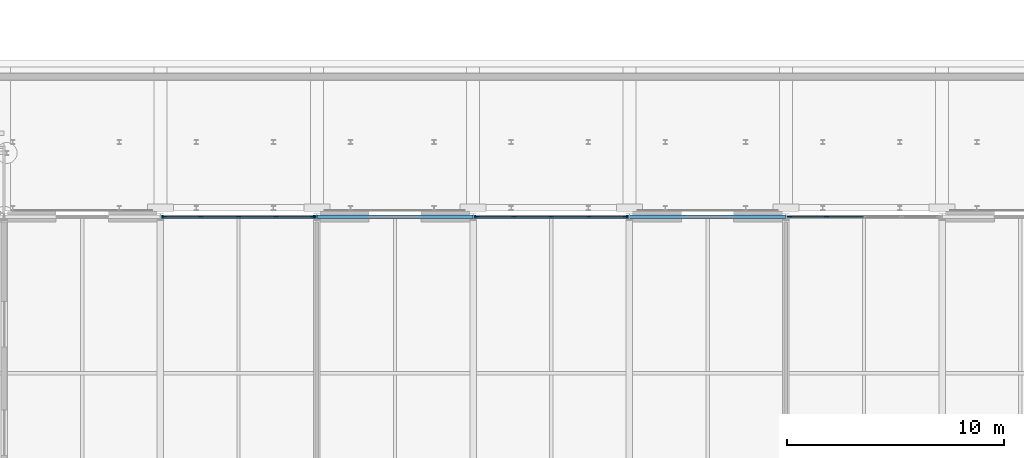
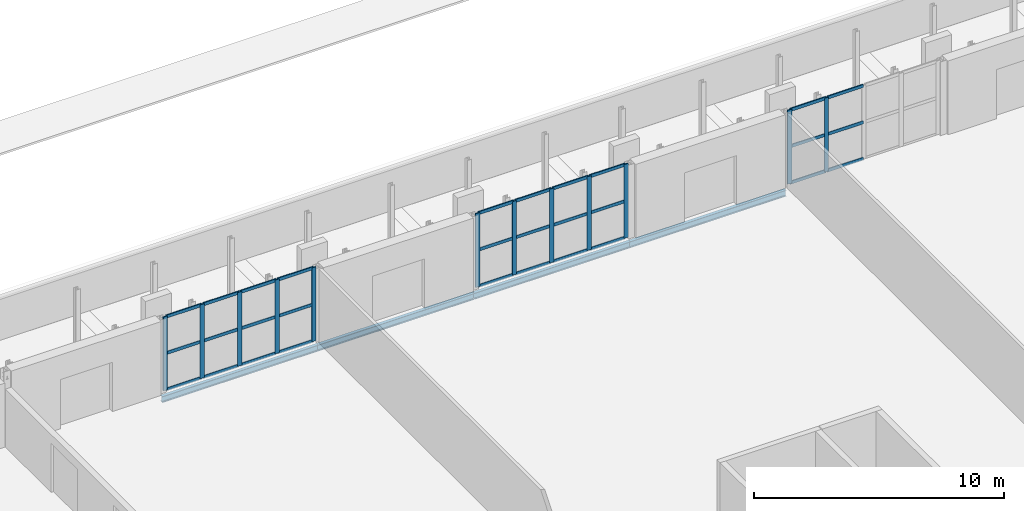
# One storey, part 58 of 143: 42 members, 4 beams, 3 elements without a shape of their own.
"""IFC4 building model written with IfcOpenShell, lengths in metres."""

from ifc_helpers import new_model, si_unit, direction, frame, origin, origin_2d, place, context, subcontext, project, spatial, rectangle, i_section, extrude, material, material_profile, profile_set, type_object, element, aggregate, save


model = new_model("IFC4")

# Units and contexts
model_context = context("Model", 3, precision=1e-05, world=origin(), true_north=direction((0.0, 1.0)))
body_context = subcontext(model_context, "Body", "Model", "MODEL_VIEW")
ifc_project = project(units=[si_unit("LENGTHUNIT", "METRE"), si_unit("AREAUNIT", "SQUARE_METRE"), si_unit("VOLUMEUNIT", "CUBIC_METRE"), si_unit("PLANEANGLEUNIT", "RADIAN"), si_unit("MASSUNIT", "GRAM", prefix="KILO")], contexts=[model_context])

# Site, building, storey
site_placement = place(None, origin())
site = spatial("IfcSite", under=ifc_project, at=site_placement, CompositionType="ELEMENT")
building_placement = place(site_placement, origin())
building = spatial("IfcBuilding", under=site, at=building_placement, Name="Kupolbacken Congress Centre", CompositionType="ELEMENT")
storey_placement = place(building_placement, frame((0.0, 0.0, 7.199951171875)))
storey = spatial("IfcBuildingStorey", under=building, at=storey_placement, Name="L02", CompositionType="ELEMENT", Elevation=7.199951171875)

# Beams
ifc_material_1 = material(Name="Steel S355", Category="steel")
ifc_material_profile_1 = material_profile(ifc_material_1, i_section(OverallWidth=0.14990234375, OverallDepth=0.300048828125, WebThickness=0.007080078125, FlangeThickness=0.0107421875, FilletRadius=0.014892578125, at=origin_2d()), Name="IPE 300")
ifc_profile_set_1 = profile_set([ifc_material_profile_1], Name="Steel S355")
beam_type = type_object("IfcBeamType", Name="B04 beam IPE 300", PredefinedType="BEAM", material=ifc_profile_set_1)
for number, where, z_axis, x_axis, name in (
    (1, (158.405517578125, 151.199951171875, -0.369873046875), (1.0, 0.0, 0.0), (0.0, 1.0, 0.0), "S/floor/B/L02/R039"),
    (2, (165.60546875, 151.199951171875, -0.369873046875), (1.0, 0.0, 0.0), (0.0, 1.0, 0.0), "S/floor/B/L02/R040"),
    (3, (172.805419921875, 151.199951171875, -0.369873046875), (1.0, 0.0, 0.0), (0.0, 1.0, 0.0), "S/floor/B/L02/R041"),
    (4, (180.005615234375, 151.199951171875, -0.369873046875), (1.0, 0.0, 0.0), (0.0, 1.0, 0.0), "S/floor/B/L02/R042"),
):
    element("IfcBeam", number, at=place(storey_placement, frame(where, z_axis=z_axis, x_axis=x_axis)), inside=storey, type_object=beam_type, Name=name, PredefinedType="BEAM", context=body_context, shape_type="SweptSolid", body=[
        extrude(i_section(OverallWidth=0.14990234375, OverallDepth=0.300048828125, WebThickness=0.007080078125, FlangeThickness=0.0107421875, FilletRadius=0.014892578125, at=origin_2d()), origin(), (0.0, 0.0, 1.0), 7.18896484375),
    ])

# Curtain wall, members
ifc_material_2 = material(Name="Aluminium mullion-transom frame with glass", Category="aluminium")
curtain_wall_type = type_object("IfcCurtainWallType", Name="CW1 curtain wall 7200x3600", PredefinedType="NOTDEFINED", material=ifc_material_2)
curtain_wall_1_placement = place(storey_placement, origin())
curtain_wall_1 = element("IfcCurtainWall", 5, at=curtain_wall_1_placement, inside=storey, type_object=curtain_wall_type, Name="E/B/N/L02/206", PredefinedType="NOTDEFINED")
ifc_material_3 = material(Name="Aluminium alloy", Category="aluminium")
ifc_material_profile_2 = material_profile(ifc_material_3, rectangle(XDim=0.050048828125, YDim=0.199951171875, at=origin_2d()), Name="50 x 200")
ifc_profile_set_2 = profile_set([ifc_material_profile_2], Name="Aluminium alloy")
member_type_1 = type_object("IfcMemberType", Name="MU2 mullion 50x200", PredefinedType="MULLION", material=ifc_profile_set_2)
member_1_placement = place(storey_placement, frame((189.074951171875, 151.199951171875, 0.0), z_axis=(0.0, 0.0, 1.0), x_axis=(0.0, -1.0, 0.0)))
member_1 = element("IfcMember", 6, at=member_1_placement, type_object=member_type_1, Name="CW1 mullion 4", PredefinedType="MULLION", context=body_context, shape_type="SweptSolid", body=[
    extrude(rectangle(XDim=0.050048828125, YDim=0.199951171875, at=origin_2d()), origin(), (0.0, 0.0, 1.0), 3.60009765625),
])
member_2_placement = place(storey_placement, frame((187.375, 151.199951171875, 0.0), z_axis=(0.0, 0.0, 1.0), x_axis=(0.0, -1.0, 0.0)))
member_2 = element("IfcMember", 7, at=member_2_placement, type_object=member_type_1, Name="CW1 mullion 5", PredefinedType="MULLION", context=body_context, shape_type="SweptSolid", body=[
    extrude(rectangle(XDim=0.050048828125, YDim=0.199951171875, at=origin_2d()), origin(), (0.0, 0.0, 1.0), 3.60009765625),
])

curtain_wall_2_placement = place(storey_placement, origin())
curtain_wall_2 = element("IfcCurtainWall", 8, at=curtain_wall_2_placement, inside=storey, type_object=curtain_wall_type, Name="E/B/N/L02/208", PredefinedType="NOTDEFINED")
member_3_placement = place(storey_placement, frame((179.824951171875, 151.199951171875, 0.0), z_axis=(0.0, 0.0, 1.0), x_axis=(0.0, -1.0, 0.0)))
member_3 = element("IfcMember", 9, at=member_3_placement, type_object=member_type_1, Name="CW1 mullion 1", PredefinedType="MULLION", context=body_context, shape_type="SweptSolid", body=[
    extrude(rectangle(XDim=0.050048828125, YDim=0.199951171875, at=origin_2d()), origin(), (0.0, 0.0, 1.0), 3.60009765625),
])
member_4_placement = place(storey_placement, frame((178.125, 151.199951171875, 0.0), z_axis=(0.0, 0.0, 1.0), x_axis=(0.0, -1.0, 0.0)))
member_4 = element("IfcMember", 10, at=member_4_placement, type_object=member_type_1, Name="CW1 mullion 2", PredefinedType="MULLION", context=body_context, shape_type="SweptSolid", body=[
    extrude(rectangle(XDim=0.050048828125, YDim=0.199951171875, at=origin_2d()), origin(), (0.0, 0.0, 1.0), 3.60009765625),
])
member_5_placement = place(storey_placement, frame((176.39990234375, 151.199951171875, 0.0), z_axis=(0.0, 0.0, 1.0), x_axis=(0.0, -1.0, 0.0)))
member_5 = element("IfcMember", 11, at=member_5_placement, type_object=member_type_1, Name="CW1 mullion 3", PredefinedType="MULLION", context=body_context, shape_type="SweptSolid", body=[
    extrude(rectangle(XDim=0.050048828125, YDim=0.199951171875, at=origin_2d()), origin(), (0.0, 0.0, 1.0), 3.60009765625),
])
member_6_placement = place(storey_placement, frame((174.675048828125, 151.199951171875, 0.0), z_axis=(0.0, 0.0, 1.0), x_axis=(0.0, -1.0, 0.0)))
member_6 = element("IfcMember", 12, at=member_6_placement, type_object=member_type_1, Name="CW1 mullion 4", PredefinedType="MULLION", context=body_context, shape_type="SweptSolid", body=[
    extrude(rectangle(XDim=0.050048828125, YDim=0.199951171875, at=origin_2d()), origin(), (0.0, 0.0, 1.0), 3.60009765625),
])
member_7_placement = place(storey_placement, frame((172.97509765625, 151.199951171875, 0.0), z_axis=(0.0, 0.0, 1.0), x_axis=(0.0, -1.0, 0.0)))
member_7 = element("IfcMember", 13, at=member_7_placement, type_object=member_type_1, Name="CW1 mullion 5", PredefinedType="MULLION", context=body_context, shape_type="SweptSolid", body=[
    extrude(rectangle(XDim=0.050048828125, YDim=0.199951171875, at=origin_2d()), origin(), (0.0, 0.0, 1.0), 3.60009765625),
])

curtain_wall_3_placement = place(storey_placement, origin())
curtain_wall_3 = element("IfcCurtainWall", 14, at=curtain_wall_3_placement, inside=storey, type_object=curtain_wall_type, Name="E/B/N/L02/210", PredefinedType="NOTDEFINED")
member_8_placement = place(storey_placement, frame((165.425048828125, 151.199951171875, 0.0), z_axis=(0.0, 0.0, 1.0), x_axis=(0.0, -1.0, 0.0)))
member_8 = element("IfcMember", 15, at=member_8_placement, type_object=member_type_1, Name="CW1 mullion 1", PredefinedType="MULLION", context=body_context, shape_type="SweptSolid", body=[
    extrude(rectangle(XDim=0.050048828125, YDim=0.199951171875, at=origin_2d()), origin(), (0.0, 0.0, 1.0), 3.60009765625),
])
member_9_placement = place(storey_placement, frame((163.72509765625, 151.199951171875, 0.0), z_axis=(0.0, 0.0, 1.0), x_axis=(0.0, -1.0, 0.0)))
member_9 = element("IfcMember", 16, at=member_9_placement, type_object=member_type_1, Name="CW1 mullion 2", PredefinedType="MULLION", context=body_context, shape_type="SweptSolid", body=[
    extrude(rectangle(XDim=0.050048828125, YDim=0.199951171875, at=origin_2d()), origin(), (0.0, 0.0, 1.0), 3.60009765625),
])
member_10_placement = place(storey_placement, frame((162.0, 151.199951171875, 0.0), z_axis=(0.0, 0.0, 1.0), x_axis=(0.0, -1.0, 0.0)))
member_10 = element("IfcMember", 17, at=member_10_placement, type_object=member_type_1, Name="CW1 mullion 3", PredefinedType="MULLION", context=body_context, shape_type="SweptSolid", body=[
    extrude(rectangle(XDim=0.050048828125, YDim=0.199951171875, at=origin_2d()), origin(), (0.0, 0.0, 1.0), 3.60009765625),
])
member_11_placement = place(storey_placement, frame((160.27490234375, 151.199951171875, 0.0), z_axis=(0.0, 0.0, 1.0), x_axis=(0.0, -1.0, 0.0)))
member_11 = element("IfcMember", 18, at=member_11_placement, type_object=member_type_1, Name="CW1 mullion 4", PredefinedType="MULLION", context=body_context, shape_type="SweptSolid", body=[
    extrude(rectangle(XDim=0.050048828125, YDim=0.199951171875, at=origin_2d()), origin(), (0.0, 0.0, 1.0), 3.60009765625),
])
member_12_placement = place(storey_placement, frame((158.574951171875, 151.199951171875, 0.0), z_axis=(0.0, 0.0, 1.0), x_axis=(0.0, -1.0, 0.0)))
member_12 = element("IfcMember", 19, at=member_12_placement, type_object=member_type_1, Name="CW1 mullion 5", PredefinedType="MULLION", context=body_context, shape_type="SweptSolid", body=[
    extrude(rectangle(XDim=0.050048828125, YDim=0.199951171875, at=origin_2d()), origin(), (0.0, 0.0, 1.0), 3.60009765625),
])

# Member
ifc_material_4 = material(Name="Aluminium alloy", Category="aluminium")
ifc_material_profile_3 = material_profile(ifc_material_4, rectangle(XDim=0.050048828125, YDim=0.14990234375, at=origin_2d()), Name="50 x 150")
ifc_profile_set_3 = profile_set([ifc_material_profile_3], Name="Aluminium alloy")
member_type_2 = type_object("IfcMemberType", Name="TR2 transom 50x150", PredefinedType="MULLION", material=ifc_profile_set_3)
member_13_placement = place(storey_placement, frame((190.77490234375, 151.199951171875, 0.025146484375), z_axis=(-1.0, 0.0, 0.0), x_axis=(0.0, -1.0, 0.0)))
member_13 = element("IfcMember", 20, at=member_13_placement, type_object=member_type_2, Name="CW1 transom 3.1", PredefinedType="MULLION", context=body_context, shape_type="SweptSolid", body=[
    extrude(rectangle(XDim=0.050048828125, YDim=0.14990234375, at=origin_2d()), origin(), (0.0, 0.0, 1.0), 1.6748046875),
])

member_14_placement = place(storey_placement, frame((190.77490234375, 151.199951171875, 1.800048828125), z_axis=(-1.0, 0.0, 0.0), x_axis=(0.0, -1.0, 0.0)))
member_14 = element("IfcMember", 21, at=member_14_placement, type_object=member_type_2, Name="CW1 transom 3.2", PredefinedType="MULLION", context=body_context, shape_type="SweptSolid", body=[
    extrude(rectangle(XDim=0.050048828125, YDim=0.14990234375, at=origin_2d()), origin(), (0.0, 0.0, 1.0), 1.6748046875),
])

member_15_placement = place(storey_placement, frame((190.77490234375, 151.199951171875, 3.574951171875), z_axis=(-1.0, 0.0, 0.0), x_axis=(0.0, -1.0, 0.0)))
member_15 = element("IfcMember", 22, at=member_15_placement, type_object=member_type_2, Name="CW1 transom 3.3", PredefinedType="MULLION", context=body_context, shape_type="SweptSolid", body=[
    extrude(rectangle(XDim=0.050048828125, YDim=0.14990234375, at=origin_2d()), origin(), (0.0, 0.0, 1.0), 1.6748046875),
])

member_16_placement = place(storey_placement, frame((189.050048828125, 151.199951171875, 0.025146484375), z_axis=(-1.0, 0.0, 0.0), x_axis=(0.0, -1.0, 0.0)))
member_16 = element("IfcMember", 23, at=member_16_placement, type_object=member_type_2, Name="CW1 transom 4.1", PredefinedType="MULLION", context=body_context, shape_type="SweptSolid", body=[
    extrude(rectangle(XDim=0.050048828125, YDim=0.14990234375, at=origin_2d()), origin(), (0.0, 0.0, 1.0), 1.650146484375),
])

member_17_placement = place(storey_placement, frame((189.050048828125, 151.199951171875, 1.800048828125), z_axis=(-1.0, 0.0, 0.0), x_axis=(0.0, -1.0, 0.0)))
member_17 = element("IfcMember", 24, at=member_17_placement, type_object=member_type_2, Name="CW1 transom 4.2", PredefinedType="MULLION", context=body_context, shape_type="SweptSolid", body=[
    extrude(rectangle(XDim=0.050048828125, YDim=0.14990234375, at=origin_2d()), origin(), (0.0, 0.0, 1.0), 1.650146484375),
])

member_18_placement = place(storey_placement, frame((189.050048828125, 151.199951171875, 3.574951171875), z_axis=(-1.0, 0.0, 0.0), x_axis=(0.0, -1.0, 0.0)))
member_18 = element("IfcMember", 25, at=member_18_placement, type_object=member_type_2, Name="CW1 transom 4.3", PredefinedType="MULLION", context=body_context, shape_type="SweptSolid", body=[
    extrude(rectangle(XDim=0.050048828125, YDim=0.14990234375, at=origin_2d()), origin(), (0.0, 0.0, 1.0), 1.650146484375),
])

aggregate(curtain_wall_1, [member_1, member_2, member_13, member_14, member_15, member_16, member_17, member_18])

member_19_placement = place(storey_placement, frame((179.800048828125, 151.199951171875, 0.025146484375), z_axis=(-1.0, 0.0, 0.0), x_axis=(0.0, -1.0, 0.0)))
member_19 = element("IfcMember", 26, at=member_19_placement, type_object=member_type_2, Name="CW1 transom 1.1", PredefinedType="MULLION", context=body_context, shape_type="SweptSolid", body=[
    extrude(rectangle(XDim=0.050048828125, YDim=0.14990234375, at=origin_2d()), origin(), (0.0, 0.0, 1.0), 1.650146484375),
])

member_20_placement = place(storey_placement, frame((179.800048828125, 151.199951171875, 1.800048828125), z_axis=(-1.0, 0.0, 0.0), x_axis=(0.0, -1.0, 0.0)))
member_20 = element("IfcMember", 27, at=member_20_placement, type_object=member_type_2, Name="CW1 transom 1.2", PredefinedType="MULLION", context=body_context, shape_type="SweptSolid", body=[
    extrude(rectangle(XDim=0.050048828125, YDim=0.14990234375, at=origin_2d()), origin(), (0.0, 0.0, 1.0), 1.650146484375),
])

member_21_placement = place(storey_placement, frame((179.800048828125, 151.199951171875, 3.574951171875), z_axis=(-1.0, 0.0, 0.0), x_axis=(0.0, -1.0, 0.0)))
member_21 = element("IfcMember", 28, at=member_21_placement, type_object=member_type_2, Name="CW1 transom 1.3", PredefinedType="MULLION", context=body_context, shape_type="SweptSolid", body=[
    extrude(rectangle(XDim=0.050048828125, YDim=0.14990234375, at=origin_2d()), origin(), (0.0, 0.0, 1.0), 1.650146484375),
])

member_22_placement = place(storey_placement, frame((178.10009765625, 151.199951171875, 0.025146484375), z_axis=(-1.0, 0.0, 0.0), x_axis=(0.0, -1.0, 0.0)))
member_22 = element("IfcMember", 29, at=member_22_placement, type_object=member_type_2, Name="CW1 transom 2.1", PredefinedType="MULLION", context=body_context, shape_type="SweptSolid", body=[
    extrude(rectangle(XDim=0.050048828125, YDim=0.14990234375, at=origin_2d()), origin(), (0.0, 0.0, 1.0), 1.675048828125),
])

member_23_placement = place(storey_placement, frame((178.10009765625, 151.199951171875, 1.800048828125), z_axis=(-1.0, 0.0, 0.0), x_axis=(0.0, -1.0, 0.0)))
member_23 = element("IfcMember", 30, at=member_23_placement, type_object=member_type_2, Name="CW1 transom 2.2", PredefinedType="MULLION", context=body_context, shape_type="SweptSolid", body=[
    extrude(rectangle(XDim=0.050048828125, YDim=0.14990234375, at=origin_2d()), origin(), (0.0, 0.0, 1.0), 1.675048828125),
])

member_24_placement = place(storey_placement, frame((178.10009765625, 151.199951171875, 3.574951171875), z_axis=(-1.0, 0.0, 0.0), x_axis=(0.0, -1.0, 0.0)))
member_24 = element("IfcMember", 31, at=member_24_placement, type_object=member_type_2, Name="CW1 transom 2.3", PredefinedType="MULLION", context=body_context, shape_type="SweptSolid", body=[
    extrude(rectangle(XDim=0.050048828125, YDim=0.14990234375, at=origin_2d()), origin(), (0.0, 0.0, 1.0), 1.675048828125),
])

member_25_placement = place(storey_placement, frame((176.375, 151.199951171875, 0.025146484375), z_axis=(-1.0, 0.0, 0.0), x_axis=(0.0, -1.0, 0.0)))
member_25 = element("IfcMember", 32, at=member_25_placement, type_object=member_type_2, Name="CW1 transom 3.1", PredefinedType="MULLION", context=body_context, shape_type="SweptSolid", body=[
    extrude(rectangle(XDim=0.050048828125, YDim=0.14990234375, at=origin_2d()), origin(), (0.0, 0.0, 1.0), 1.675048828125),
])

member_26_placement = place(storey_placement, frame((176.375, 151.199951171875, 1.800048828125), z_axis=(-1.0, 0.0, 0.0), x_axis=(0.0, -1.0, 0.0)))
member_26 = element("IfcMember", 33, at=member_26_placement, type_object=member_type_2, Name="CW1 transom 3.2", PredefinedType="MULLION", context=body_context, shape_type="SweptSolid", body=[
    extrude(rectangle(XDim=0.050048828125, YDim=0.14990234375, at=origin_2d()), origin(), (0.0, 0.0, 1.0), 1.675048828125),
])

member_27_placement = place(storey_placement, frame((176.375, 151.199951171875, 3.574951171875), z_axis=(-1.0, 0.0, 0.0), x_axis=(0.0, -1.0, 0.0)))
member_27 = element("IfcMember", 34, at=member_27_placement, type_object=member_type_2, Name="CW1 transom 3.3", PredefinedType="MULLION", context=body_context, shape_type="SweptSolid", body=[
    extrude(rectangle(XDim=0.050048828125, YDim=0.14990234375, at=origin_2d()), origin(), (0.0, 0.0, 1.0), 1.675048828125),
])

member_28_placement = place(storey_placement, frame((174.64990234375, 151.199951171875, 0.025146484375), z_axis=(-1.0, 0.0, 0.0), x_axis=(0.0, -1.0, 0.0)))
member_28 = element("IfcMember", 35, at=member_28_placement, type_object=member_type_2, Name="CW1 transom 4.1", PredefinedType="MULLION", context=body_context, shape_type="SweptSolid", body=[
    extrude(rectangle(XDim=0.050048828125, YDim=0.14990234375, at=origin_2d()), origin(), (0.0, 0.0, 1.0), 1.64990234375),
])

member_29_placement = place(storey_placement, frame((174.64990234375, 151.199951171875, 1.800048828125), z_axis=(-1.0, 0.0, 0.0), x_axis=(0.0, -1.0, 0.0)))
member_29 = element("IfcMember", 36, at=member_29_placement, type_object=member_type_2, Name="CW1 transom 4.2", PredefinedType="MULLION", context=body_context, shape_type="SweptSolid", body=[
    extrude(rectangle(XDim=0.050048828125, YDim=0.14990234375, at=origin_2d()), origin(), (0.0, 0.0, 1.0), 1.64990234375),
])

member_30_placement = place(storey_placement, frame((174.64990234375, 151.199951171875, 3.574951171875), z_axis=(-1.0, 0.0, 0.0), x_axis=(0.0, -1.0, 0.0)))
member_30 = element("IfcMember", 37, at=member_30_placement, type_object=member_type_2, Name="CW1 transom 4.3", PredefinedType="MULLION", context=body_context, shape_type="SweptSolid", body=[
    extrude(rectangle(XDim=0.050048828125, YDim=0.14990234375, at=origin_2d()), origin(), (0.0, 0.0, 1.0), 1.64990234375),
])

aggregate(curtain_wall_2, [member_3, member_4, member_5, member_6, member_7, member_19, member_20, member_21, member_22, member_23, member_24, member_25, member_26, member_27, member_28, member_29, member_30])

member_31_placement = place(storey_placement, frame((165.39990234375, 151.199951171875, 0.025146484375), z_axis=(-1.0, 0.0, 0.0), x_axis=(0.0, -1.0, 0.0)))
member_31 = element("IfcMember", 38, at=member_31_placement, type_object=member_type_2, Name="CW1 transom 1.1", PredefinedType="MULLION", context=body_context, shape_type="SweptSolid", body=[
    extrude(rectangle(XDim=0.050048828125, YDim=0.14990234375, at=origin_2d()), origin(), (0.0, 0.0, 1.0), 1.64990234375),
])

member_32_placement = place(storey_placement, frame((165.39990234375, 151.199951171875, 1.800048828125), z_axis=(-1.0, 0.0, 0.0), x_axis=(0.0, -1.0, 0.0)))
member_32 = element("IfcMember", 39, at=member_32_placement, type_object=member_type_2, Name="CW1 transom 1.2", PredefinedType="MULLION", context=body_context, shape_type="SweptSolid", body=[
    extrude(rectangle(XDim=0.050048828125, YDim=0.14990234375, at=origin_2d()), origin(), (0.0, 0.0, 1.0), 1.64990234375),
])

member_33_placement = place(storey_placement, frame((165.39990234375, 151.199951171875, 3.574951171875), z_axis=(-1.0, 0.0, 0.0), x_axis=(0.0, -1.0, 0.0)))
member_33 = element("IfcMember", 40, at=member_33_placement, type_object=member_type_2, Name="CW1 transom 1.3", PredefinedType="MULLION", context=body_context, shape_type="SweptSolid", body=[
    extrude(rectangle(XDim=0.050048828125, YDim=0.14990234375, at=origin_2d()), origin(), (0.0, 0.0, 1.0), 1.64990234375),
])

member_34_placement = place(storey_placement, frame((163.699951171875, 151.199951171875, 0.025146484375), z_axis=(-1.0, 0.0, 0.0), x_axis=(0.0, -1.0, 0.0)))
member_34 = element("IfcMember", 41, at=member_34_placement, type_object=member_type_2, Name="CW1 transom 2.1", PredefinedType="MULLION", context=body_context, shape_type="SweptSolid", body=[
    extrude(rectangle(XDim=0.050048828125, YDim=0.14990234375, at=origin_2d()), origin(), (0.0, 0.0, 1.0), 1.675048828125),
])

member_35_placement = place(storey_placement, frame((163.699951171875, 151.199951171875, 1.800048828125), z_axis=(-1.0, 0.0, 0.0), x_axis=(0.0, -1.0, 0.0)))
member_35 = element("IfcMember", 42, at=member_35_placement, type_object=member_type_2, Name="CW1 transom 2.2", PredefinedType="MULLION", context=body_context, shape_type="SweptSolid", body=[
    extrude(rectangle(XDim=0.050048828125, YDim=0.14990234375, at=origin_2d()), origin(), (0.0, 0.0, 1.0), 1.675048828125),
])

member_36_placement = place(storey_placement, frame((163.699951171875, 151.199951171875, 3.574951171875), z_axis=(-1.0, 0.0, 0.0), x_axis=(0.0, -1.0, 0.0)))
member_36 = element("IfcMember", 43, at=member_36_placement, type_object=member_type_2, Name="CW1 transom 2.3", PredefinedType="MULLION", context=body_context, shape_type="SweptSolid", body=[
    extrude(rectangle(XDim=0.050048828125, YDim=0.14990234375, at=origin_2d()), origin(), (0.0, 0.0, 1.0), 1.675048828125),
])

member_37_placement = place(storey_placement, frame((161.97509765625, 151.199951171875, 0.025146484375), z_axis=(-1.0, 0.0, 0.0), x_axis=(0.0, -1.0, 0.0)))
member_37 = element("IfcMember", 44, at=member_37_placement, type_object=member_type_2, Name="CW1 transom 3.1", PredefinedType="MULLION", context=body_context, shape_type="SweptSolid", body=[
    extrude(rectangle(XDim=0.050048828125, YDim=0.14990234375, at=origin_2d()), origin(), (0.0, 0.0, 1.0), 1.675048828125),
])

member_38_placement = place(storey_placement, frame((161.97509765625, 151.199951171875, 1.800048828125), z_axis=(-1.0, 0.0, 0.0), x_axis=(0.0, -1.0, 0.0)))
member_38 = element("IfcMember", 45, at=member_38_placement, type_object=member_type_2, Name="CW1 transom 3.2", PredefinedType="MULLION", context=body_context, shape_type="SweptSolid", body=[
    extrude(rectangle(XDim=0.050048828125, YDim=0.14990234375, at=origin_2d()), origin(), (0.0, 0.0, 1.0), 1.675048828125),
])

member_39_placement = place(storey_placement, frame((161.97509765625, 151.199951171875, 3.574951171875), z_axis=(-1.0, 0.0, 0.0), x_axis=(0.0, -1.0, 0.0)))
member_39 = element("IfcMember", 46, at=member_39_placement, type_object=member_type_2, Name="CW1 transom 3.3", PredefinedType="MULLION", context=body_context, shape_type="SweptSolid", body=[
    extrude(rectangle(XDim=0.050048828125, YDim=0.14990234375, at=origin_2d()), origin(), (0.0, 0.0, 1.0), 1.675048828125),
])

member_40_placement = place(storey_placement, frame((160.25, 151.199951171875, 0.025146484375), z_axis=(-1.0, 0.0, 0.0), x_axis=(0.0, -1.0, 0.0)))
member_40 = element("IfcMember", 47, at=member_40_placement, type_object=member_type_2, Name="CW1 transom 4.1", PredefinedType="MULLION", context=body_context, shape_type="SweptSolid", body=[
    extrude(rectangle(XDim=0.050048828125, YDim=0.14990234375, at=origin_2d()), origin(), (0.0, 0.0, 1.0), 1.64990234375),
])

member_41_placement = place(storey_placement, frame((160.25, 151.199951171875, 1.800048828125), z_axis=(-1.0, 0.0, 0.0), x_axis=(0.0, -1.0, 0.0)))
member_41 = element("IfcMember", 48, at=member_41_placement, type_object=member_type_2, Name="CW1 transom 4.2", PredefinedType="MULLION", context=body_context, shape_type="SweptSolid", body=[
    extrude(rectangle(XDim=0.050048828125, YDim=0.14990234375, at=origin_2d()), origin(), (0.0, 0.0, 1.0), 1.64990234375),
])

member_42_placement = place(storey_placement, frame((160.25, 151.199951171875, 3.574951171875), z_axis=(-1.0, 0.0, 0.0), x_axis=(0.0, -1.0, 0.0)))
member_42 = element("IfcMember", 49, at=member_42_placement, type_object=member_type_2, Name="CW1 transom 4.3", PredefinedType="MULLION", context=body_context, shape_type="SweptSolid", body=[
    extrude(rectangle(XDim=0.050048828125, YDim=0.14990234375, at=origin_2d()), origin(), (0.0, 0.0, 1.0), 1.64990234375),
])

aggregate(curtain_wall_3, [member_8, member_9, member_10, member_11, member_12, member_31, member_32, member_33, member_34, member_35, member_36, member_37, member_38, member_39, member_40, member_41, member_42])

save(model, "model.ifc")
